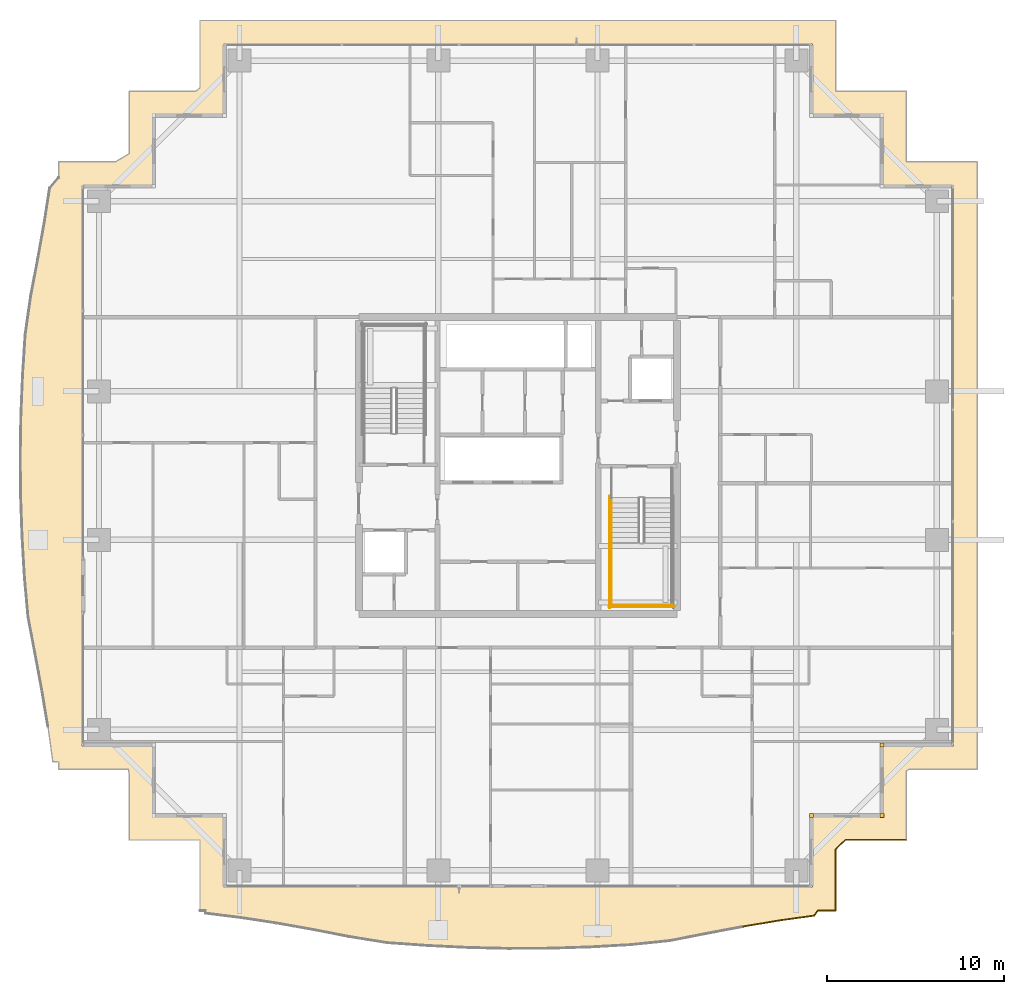
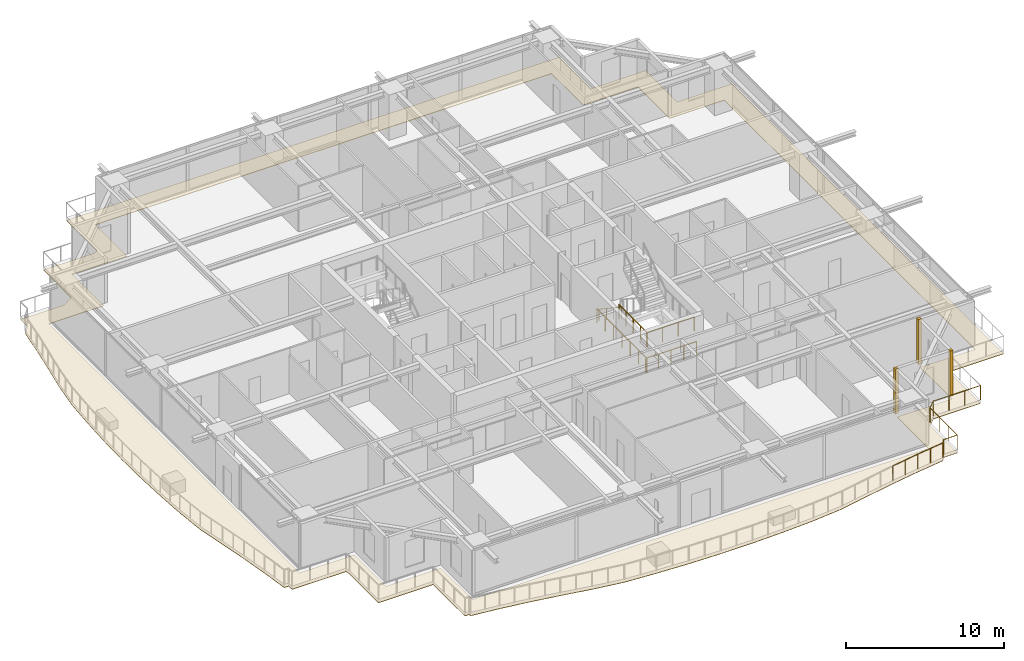
# One storey, part 32 of 35: 6 railings, 4 coverings.
"""IFC4 building model written with IfcOpenShell, lengths in metres."""

from ifc_helpers import new_model, si_unit, direction, frame, origin, origin_2d, place, context, subcontext, project, spatial, polyline, rectangle, circle, outline, extrude, source, transform, mapped, material, layer, layer_set, type_object, element, save


model = new_model("IFC4")

# Units and contexts
model_context = context("Model", 3, precision=1e-05, world=origin(), true_north=direction((0.0, 1.0)))
body_context = subcontext(model_context, "Body", "Model", "MODEL_VIEW")
ifc_project = project(units=[si_unit("LENGTHUNIT", "METRE"), si_unit("AREAUNIT", "SQUARE_METRE"), si_unit("VOLUMEUNIT", "CUBIC_METRE"), si_unit("PLANEANGLEUNIT", "RADIAN"), si_unit("MASSUNIT", "GRAM", prefix="KILO")], contexts=[model_context])

# Site, building, storey
site_placement = place(None, origin())
site = spatial("IfcSite", under=ifc_project, at=site_placement, CompositionType="ELEMENT")
building_placement = place(site_placement, origin())
building = spatial("IfcBuilding", under=site, at=building_placement, Name="Serunith Strait Residences", CompositionType="ELEMENT")
storey_placement = place(building_placement, frame((0.0, 0.0, 157.64990234375)))
storey = spatial("IfcBuildingStorey", under=building, at=storey_placement, Name="L39", CompositionType="ELEMENT", Elevation=157.64990234375)

# Covering
ifc_material_1 = material(Name="Golden Teak Exterior Timber Boarding", Category="wood")
ifc_layer_1 = layer(ifc_material_1, 0.034912109375, Name="Golden Teak Exterior Timber Boarding")
ifc_layer_set_1 = layer_set([ifc_layer_1], Name="Golden Teak Exterior Timber Boarding")
covering_type_1 = type_object("IfcCoveringType", Name="COV-TEAK-SOFFIT", PredefinedType="CEILING", material=ifc_layer_set_1)
covering_placement = place(storey_placement, frame((0.0, 0.0, -0.324951171875)))
element("IfcCovering", 1, at=covering_placement, inside=storey, type_object=covering_type_1, Name="L39 Golden-Teak Balcony Soffit Lining", PredefinedType="CEILING", context=body_context, shape_type="SweptSolid", body=[
    extrude(outline(polyline([(14.419921875, 0.02001953125), (14.419921875, 4.02001953125), (10.419921875, 4.02001953125), (10.419921875, 7.682861328125), (10.370361328125, 8.02001953125), (6.419921875, 8.02001953125), (6.419921875, 8.4287109375), (6.0947265625, 8.447265625), (5.815185546875, 10.44873046875), (5.480712890625, 12.469970703125), (5.10009765625, 14.52783203125), (4.69677734375, 16.641357421875), (4.49658203125, 18.866943359375), (4.364013671875, 21.13525390625), (4.281982421875, 23.42822265625), (4.258544921875, 25.73388671875), (4.2958984375, 28.037109375), (4.390625, 30.32373046875), (4.53369140625, 32.581787109375), (4.842041015625, 34.759521484375), (5.239501953125, 36.84814453125), (5.60400390625, 38.888427734375), (5.91748046875, 40.899169921875), (6.419921875, 41.486083984375), (6.419921875, 42.3798828125), (9.62646484375, 42.3798828125), (10.419921875, 42.852783203125), (10.419921875, 46.3798828125), (14.192138671875, 46.3798828125), (14.419921875, 46.5625), (14.419921875, 50.3798828125), (50.3798828125, 50.3798828125), (50.3798828125, 46.3798828125), (54.3798828125, 46.3798828125), (54.3798828125, 42.3798828125), (58.3798828125, 42.3798828125), (58.3798828125, 8.02001953125), (54.51513671875, 8.02001953125), (54.3798828125, 7.921875), (54.3798828125, 4.02001953125), (50.935791015625, 4.02001953125), (50.3798828125, 3.485107421875), (50.3798828125, 0.02001953125), (49.37353515625, 0.02001953125), (49.166015625, -0.27001953125), (47.16748046875, -0.548583984375), (45.150634765625, -0.8857421875), (43.0966796875, -1.27294921875), (40.985595703125, -1.686279296875), (38.760986328125, -1.9150390625), (36.48291015625, -2.043701171875), (34.178955078125, -2.116943359375), (31.8642578125, -2.126953125), (29.55419921875, -2.072998046875), (27.2646484375, -1.960693359375), (25.0068359375, -1.80078125), (22.84423828125, -1.45166015625), (20.764892578125, -1.047607421875), (18.732421875, -0.685302734375), (16.726318359375, -0.37939453125), (14.731201171875, -0.13232421875), (14.732421875, 0.02001953125), (14.419921875, 0.02001953125)]), holes=[polyline([(49.054931640625, 1.344970703125), (49.054931640625, 5.344970703125), (53.054931640625, 5.344970703125), (53.054931640625, 9.344970703125), (57.054931640625, 9.344970703125), (57.054931640625, 41.054931640625), (53.054931640625, 41.054931640625), (53.054931640625, 45.054931640625), (49.054931640625, 45.054931640625), (49.054931640625, 49.054931640625), (15.7451171875, 49.054931640625), (15.7451171875, 45.054931640625), (11.7451171875, 45.054931640625), (11.7451171875, 41.054931640625), (7.7451171875, 41.054931640625), (7.7451171875, 9.344970703125), (11.7451171875, 9.344970703125), (11.7451171875, 5.344970703125), (15.7451171875, 5.344970703125), (15.7451171875, 1.344970703125), (49.054931640625, 1.344970703125)])]), origin(), (0.0, 0.0, 1.0), 0.03515625),
])

# Railings
ifc_material_2 = material(Name="Stainless Steel & Laminated Glass Balustrade", Category="steel")
railing_type_1 = type_object("IfcRailingType", Name="RLG-BALC-1150", PredefinedType="BALUSTRADE", material=ifc_material_2)
railing_1_placement = place(storey_placement, frame((54.3798828125, 4.02001953125, -0.0498046875)))
element("IfcRailing", 2, at=railing_1_placement, inside=storey, type_object=railing_type_1, Name="L39 Swirling Balcony Perimeter Balustrade 6", PredefinedType="BALUSTRADE", context=body_context, shape_type="SweptSolid", body=[
    extrude(circle(Radius=0.02392578125, at=origin_2d()), frame((-0.001953125, 0.0, 1.1259765625), z_axis=(-1.0, 0.0, 0.0), x_axis=(0.0, -1.0, 0.0)), (0.0, 0.0, 1.0), 3.440185546875),
    extrude(circle(Radius=0.02392578125, at=origin_2d()), frame((-3.445556640625, -0.00146484375, 1.1259765625), z_axis=(-0.720583692036, -0.693367970685, 0.0), x_axis=(0.693367970685, -0.720583692036, 0.0)), (0.0, 0.0, 1.0), 0.767578125),
    extrude(circle(Radius=0.02392578125, at=origin_2d()), frame((-4.0, -0.536865234375, 1.1259765625), z_axis=(0.0, -1.0, 0.0), x_axis=(1.0, 0.0, 0.0)), (0.0, 0.0, 1.0), 3.461181640625),
    extrude(circle(Radius=0.02392578125, at=origin_2d()), frame((-4.001953125, -4.0, 1.1259765625), z_axis=(-1.0, 0.0, 0.0), x_axis=(0.0, -1.0, 0.0)), (0.0, 0.0, 1.0), 1.00244140625),
    extrude(circle(Radius=0.02392578125, at=origin_2d()), frame((-5.007568359375, -4.001708984375, 1.1259765625), z_axis=(-0.581885577087, -0.813270665387, 0.0), x_axis=(0.813270665387, -0.581885577087, 0.0)), (0.0, 0.0, 1.0), 0.3525390625),
    extrude(circle(Radius=0.02392578125, at=origin_2d()), frame((-5.2158203125, -4.290283203125, 1.1259765625), z_axis=(-0.990425295632, -0.138049751077, 0.0), x_axis=(0.138049751077, -0.990425295632, 0.0)), (0.0, 0.0, 1.0), 2.013916015625),
    extrude(circle(Radius=0.02392578125, at=origin_2d()), frame((-7.21435546875, -4.56884765625, 1.1259765625), z_axis=(-0.98631313351, -0.164882996898, 0.0), x_axis=(0.164882996898, -0.98631313351, 0.0)), (0.0, 0.0, 1.0), 2.040771484375),
    extrude(circle(Radius=0.02099609375, at=origin_2d()), origin(), (0.0, 0.0, 1.0), 1.099853515625),
    extrude(circle(Radius=0.02099609375, at=origin_2d()), frame((-1.14794921875, 0.0, 0.0)), (0.0, 0.0, 1.0), 1.099853515625),
    extrude(circle(Radius=0.02099609375, at=origin_2d()), frame((-2.296142578125, 0.0, 0.0)), (0.0, 0.0, 1.0), 1.099853515625),
    extrude(circle(Radius=0.02099609375, at=origin_2d()), frame((-3.444091796875, 0.0, 0.0)), (0.0, 0.0, 1.0), 1.099853515625),
    extrude(circle(Radius=0.02099609375, at=origin_2d()), frame((-4.0, -0.534912109375, 0.0)), (0.0, 0.0, 1.0), 1.099853515625),
    extrude(circle(Radius=0.02099609375, at=origin_2d()), frame((-4.0, -1.68994140625, 0.0)), (0.0, 0.0, 1.0), 1.099853515625),
    extrude(circle(Radius=0.02099609375, at=origin_2d()), frame((-4.0, -2.844970703125, 0.0)), (0.0, 0.0, 1.0), 1.099853515625),
    extrude(circle(Radius=0.02099609375, at=origin_2d()), frame((-4.0, -4.0, 0.0)), (0.0, 0.0, 1.0), 1.099853515625),
    extrude(circle(Radius=0.02099609375, at=origin_2d()), frame((-5.00634765625, -4.0, 0.0)), (0.0, 0.0, 1.0), 1.099853515625),
    extrude(circle(Radius=0.02099609375, at=origin_2d()), frame((-5.2138671875, -4.2900390625, 0.0)), (0.0, 0.0, 1.0), 1.099853515625),
    extrude(circle(Radius=0.02099609375, at=origin_2d()), frame((-6.213134765625, -4.42919921875, 0.0)), (0.0, 0.0, 1.0), 1.099853515625),
    extrude(circle(Radius=0.02099609375, at=origin_2d()), frame((-7.21240234375, -4.568603515625, 0.0)), (0.0, 0.0, 1.0), 1.099853515625),
    extrude(circle(Radius=0.02099609375, at=origin_2d()), frame((-8.220703125, -4.7373046875, 0.0)), (0.0, 0.0, 1.0), 1.099853515625),
    extrude(circle(Radius=0.02099609375, at=origin_2d()), frame((-9.229248046875, -4.90576171875, 0.0)), (0.0, 0.0, 1.0), 1.099853515625),
])
ifc_material_3 = material(Name="Brushed stainless steel 316L", Category="steel")
railing_type_2 = type_object("IfcRailingType", Name="RLG-STAIR-GUARD", PredefinedType="BALUSTRADE", material=ifc_material_3)
railing_2_placement = place(storey_placement, frame((37.699951171875, 20.85009765625, 1.875)))
element("IfcRailing", 3, at=railing_2_placement, inside=storey, type_object=railing_type_2, Name="L39 ST-2 stair guard 3", PredefinedType="BALUSTRADE", context=body_context, shape_type="SweptSolid", body=[
    extrude(circle(Radius=0.02392578125, at=origin_2d()), frame((0.0, -0.001953125, 1.076171875), z_axis=(0.0, -1.0, 0.0), x_axis=(1.0, 0.0, 0.0)), (0.0, 0.0, 1.0), 3.59619140625),
    extrude(circle(Radius=0.02099609375, at=origin_2d()), origin(), (0.0, 0.0, 1.0), 1.050048828125),
    extrude(circle(Radius=0.02099609375, at=origin_2d()), frame((0.0, -0.89990234375, 0.0)), (0.0, 0.0, 1.0), 1.050048828125),
    extrude(circle(Radius=0.02099609375, at=origin_2d()), frame((0.0, -1.800048828125, 0.0)), (0.0, 0.0, 1.0), 1.050048828125),
    extrude(circle(Radius=0.02099609375, at=origin_2d()), frame((0.0, -2.7001953125, 0.0)), (0.0, 0.0, 1.0), 1.050048828125),
    extrude(circle(Radius=0.02099609375, at=origin_2d()), frame((0.0, -3.60009765625, 0.0)), (0.0, 0.0, 1.0), 1.050048828125),
])
railing_3_placement = place(storey_placement, frame((37.64990234375, 17.300048828125, 1.875)))
element("IfcRailing", 4, at=railing_3_placement, inside=storey, type_object=railing_type_2, Name="L39 ST-2 stair guard 5", PredefinedType="BALUSTRADE", context=body_context, shape_type="SweptSolid", body=[
    extrude(circle(Radius=0.02392578125, at=origin_2d()), frame((0.001953125, 0.0, 1.076171875), z_axis=(1.0, 0.0, 0.0), x_axis=(0.0, 1.0, 0.0)), (0.0, 0.0, 1.0), 3.49609375),
    extrude(circle(Radius=0.02099609375, at=origin_2d()), origin(), (0.0, 0.0, 1.0), 1.050048828125),
    extrude(circle(Radius=0.02099609375, at=origin_2d()), frame((1.166748046875, 0.0, 0.0)), (0.0, 0.0, 1.0), 1.050048828125),
    extrude(circle(Radius=0.02099609375, at=origin_2d()), frame((2.333251953125, 0.0, 0.0)), (0.0, 0.0, 1.0), 1.050048828125),
    extrude(circle(Radius=0.02099609375, at=origin_2d()), frame((3.5, 0.0, 0.0)), (0.0, 0.0, 1.0), 1.050048828125),
])
railing_4_placement = place(storey_placement, frame((37.60009765625, 23.469970703125, 0.0)))
element("IfcRailing", 5, at=railing_4_placement, inside=storey, type_object=railing_type_2, Name="L39 ST-2 stair guard 10", PredefinedType="BALUSTRADE", context=body_context, shape_type="SweptSolid", body=[
    extrude(circle(Radius=0.02392578125, at=origin_2d()), frame((0.0, -0.001953125, 1.076171875), z_axis=(0.0, -1.0, 0.0), x_axis=(1.0, 0.0, 0.0)), (0.0, 0.0, 1.0), 6.316162109375),
    extrude(circle(Radius=0.02099609375, at=origin_2d()), origin(), (0.0, 0.0, 1.0), 1.050048828125),
    extrude(circle(Radius=0.02099609375, at=origin_2d()), frame((0.0, -1.05322265625, 0.0)), (0.0, 0.0, 1.0), 1.050048828125),
    extrude(circle(Radius=0.02099609375, at=origin_2d()), frame((0.0, -2.106689453125, 0.0)), (0.0, 0.0, 1.0), 1.050048828125),
    extrude(circle(Radius=0.02099609375, at=origin_2d()), frame((0.0, -3.16015625, 0.0)), (0.0, 0.0, 1.0), 1.050048828125),
    extrude(circle(Radius=0.02099609375, at=origin_2d()), frame((0.0, -4.21337890625, 0.0)), (0.0, 0.0, 1.0), 1.050048828125),
    extrude(circle(Radius=0.02099609375, at=origin_2d()), frame((0.0, -5.2666015625, 0.0)), (0.0, 0.0, 1.0), 1.050048828125),
    extrude(circle(Radius=0.02099609375, at=origin_2d()), frame((0.0, -6.320068359375, 0.0)), (0.0, 0.0, 1.0), 1.050048828125),
])
railing_5_placement = place(storey_placement, frame((37.550048828125, 17.199951171875, 0.0)))
element("IfcRailing", 6, at=railing_5_placement, inside=storey, type_object=railing_type_2, Name="L39 ST-2 stair guard 12", PredefinedType="BALUSTRADE", context=body_context, shape_type="SweptSolid", body=[
    extrude(circle(Radius=0.02392578125, at=origin_2d()), frame((0.001953125, 0.0, 1.076171875), z_axis=(1.0, 0.0, 0.0), x_axis=(0.0, 1.0, 0.0)), (0.0, 0.0, 1.0), 3.696044921875),
    extrude(circle(Radius=0.02099609375, at=origin_2d()), origin(), (0.0, 0.0, 1.0), 1.050048828125),
    extrude(circle(Radius=0.02099609375, at=origin_2d()), frame((0.925048828125, 0.0, 0.0)), (0.0, 0.0, 1.0), 1.050048828125),
    extrude(circle(Radius=0.02099609375, at=origin_2d()), frame((1.85009765625, 0.0, 0.0)), (0.0, 0.0, 1.0), 1.050048828125),
    extrude(circle(Radius=0.02099609375, at=origin_2d()), frame((2.77490234375, 0.0, 0.0)), (0.0, 0.0, 1.0), 1.050048828125),
    extrude(circle(Radius=0.02099609375, at=origin_2d()), frame((3.699951171875, 0.0, 0.0)), (0.0, 0.0, 1.0), 1.050048828125),
])
railing_type_3 = type_object("IfcRailingType", Name="RLG-STAIR-HR", PredefinedType="HANDRAIL", material=ifc_material_3)
railing_6_placement = place(storey_placement, frame((37.699951171875, 23.3701171875, 0.1875)))
element("IfcRailing", 7, at=railing_6_placement, inside=storey, type_object=railing_type_3, Name="L39 ST-2 stair handrail 1", PredefinedType="HANDRAIL", context=body_context, shape_type="SweptSolid", body=[
    extrude(circle(Radius=0.02392578125, at=origin_2d()), frame((0.0, -0.001708984375, 0.876953125), z_axis=(0.0, -0.830208209119, 0.557453432594), x_axis=(1.0, 0.0, 0.0)), (0.0, 0.0, 1.0), 3.36865234375),
    extrude(circle(Radius=0.02099609375, at=origin_2d()), origin(), (0.0, 0.0, 1.0), 0.849853515625),
    extrude(circle(Radius=0.02099609375, at=origin_2d()), frame((0.0, -0.933349609375, 0.626708984375)), (0.0, 0.0, 1.0), 0.849853515625),
    extrude(circle(Radius=0.02099609375, at=origin_2d()), frame((0.0, -1.86669921875, 1.25341796875)), (0.0, 0.0, 1.0), 0.849853515625),
    extrude(circle(Radius=0.02099609375, at=origin_2d()), frame((0.0, -2.800048828125, 1.880126953125)), (0.0, 0.0, 1.0), 0.849853515625),
])

# Coverings
ifc_material_4 = material(Name="Pale-Champagne Anodised Aluminium", Category="aluminium")
ifc_layer_2 = layer(ifc_material_4, 0.219970703125, Name="Pale-Champagne Anodised Aluminium")
ifc_layer_set_2 = layer_set([ifc_layer_2], Name="Pale-Champagne Anodised Aluminium")
covering_type_2 = type_object("IfcCoveringType", Name="COV-CORN-TRIM", PredefinedType="CLADDING", material=ifc_layer_set_2)
shared_shape = source(origin(), body_context, "Body", "SweptSolid", [
    extrude(rectangle(XDim=0.221923828125, YDim=0.221923828125, at=origin_2d()), origin(), (0.0, 0.0, 1.0), 3.47509765625),
])
for number, where, z_axis, x_axis, name in (
    (8, (49.0, 5.39990234375, 0.0), (0.0, 0.0, 1.0), (1.0, 0.0, 0.0), "L39 Girih Serrated Corner Trim Post 02"),
    (9, (53.0, 5.39990234375, 0.0), (0.0, 0.0, 1.0), (1.0, 0.0, 0.0), "L39 Girih Serrated Corner Trim Post 03"),
    (10, (53.0, 9.39990234375, 0.0), (0.0, 0.0, 1.0), (1.0, 0.0, 0.0), "L39 Girih Serrated Corner Trim Post 04"),
):
    element("IfcCovering", number, at=place(storey_placement, frame(where, z_axis=z_axis, x_axis=x_axis)), inside=storey, type_object=covering_type_2, Name=name, PredefinedType="CLADDING", context=body_context, shape_type="MappedRepresentation", body=[
        mapped(shared_shape, transform((0.0, 0.0, 0.0), scale=1.0)),
    ])

save(model, "model.ifc")
